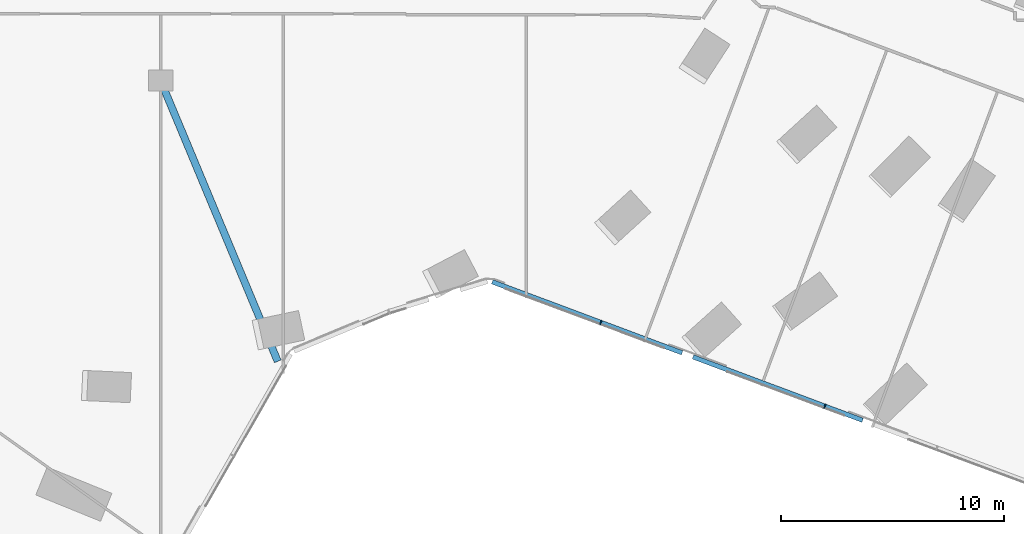
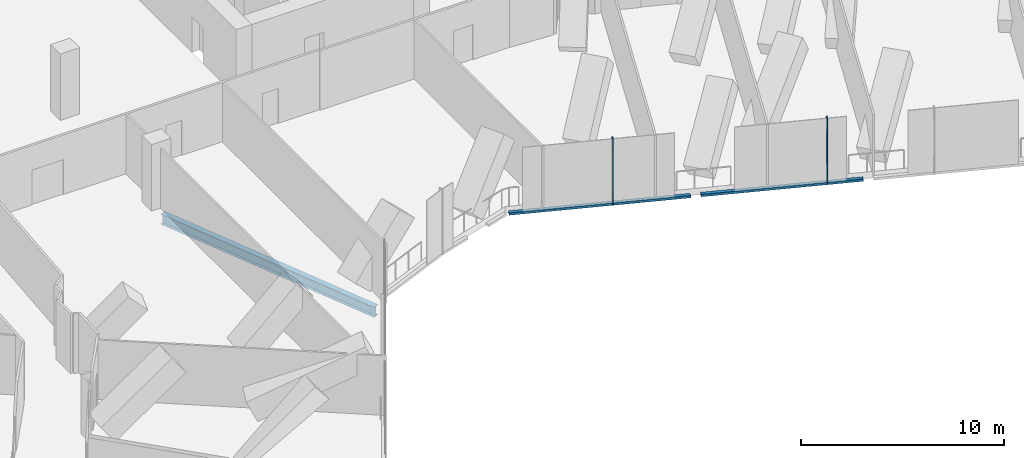
# One storey, part 8 of 34: 4 members, 1 beam, 1 element without a shape of its own.
"""IFC4 building model written with IfcOpenShell, lengths in metres."""

from ifc_helpers import new_model, si_unit, direction, frame, origin, origin_2d, place, context, subcontext, project, spatial, rectangle, i_section, extrude, material, material_profile, profile_set, type_object, element, aggregate, save


model = new_model("IFC4")

# Units and contexts
model_context = context("Model", 3, precision=1e-05, world=origin(), true_north=direction((0.0, 1.0)))
body_context = subcontext(model_context, "Body", "Model", "MODEL_VIEW")
ifc_project = project(units=[si_unit("LENGTHUNIT", "METRE"), si_unit("AREAUNIT", "SQUARE_METRE"), si_unit("VOLUMEUNIT", "CUBIC_METRE"), si_unit("PLANEANGLEUNIT", "RADIAN"), si_unit("MASSUNIT", "GRAM", prefix="KILO")], contexts=[model_context])

# Site, building, storey
site_placement = place(None, origin())
site = spatial("IfcSite", under=ifc_project, at=site_placement, CompositionType="ELEMENT")
building_placement = place(site_placement, origin())
building = spatial("IfcBuilding", under=site, at=building_placement, Name="Orlundy Tower", CompositionType="ELEMENT")
storey_placement = place(building_placement, frame((0.0, 0.0, 98.199951171875)))
storey = spatial("IfcBuildingStorey", under=building, at=storey_placement, Name="L24", CompositionType="ELEMENT", Elevation=98.199951171875)

# Beam
ifc_material_1 = material(Name="Steel ASTM A992 Gr 50", Category="steel")
ifc_material_profile_1 = material_profile(ifc_material_1, i_section(OverallWidth=0.32373046875, OverallDepth=0.611083984375, WebThickness=0.0126953125, FlangeThickness=0.01904296875, at=origin_2d()), Name="W24X104")
ifc_profile_set_1 = profile_set([ifc_material_profile_1], Name="Steel ASTM A992 Gr 50")
beam_type = type_object("IfcBeamType", Name="CANTILEVER GIRDER beam W24X104", PredefinedType="BEAM", material=ifc_profile_set_1)
beam_placement = place(storey_placement, frame((5.245849609375, -30.5771484375, -0.70556640625), z_axis=(-0.384950357411, 0.922937279737, 0.0), x_axis=(-0.922937279737, -0.384950357411, 0.0)))
element("IfcBeam", 1, at=beam_placement, inside=storey, type_object=beam_type, Name="Cantilever girder C-H09 L24", PredefinedType="BEAM", context=body_context, shape_type="SweptSolid", body=[
    extrude(i_section(OverallWidth=0.32373046875, OverallDepth=0.611083984375, WebThickness=0.0126953125, FlangeThickness=0.01904296875, at=origin_2d()), origin(), (0.0, 0.0, 1.0), 13.24755859375),
])

# Curtain wall, members
ifc_material_2 = material(Name="Aluminium bronze anodised", Category="aluminium")
curtain_wall_type = type_object("IfcCurtainWallType", Name="CW5 wall", PredefinedType="NOTDEFINED", material=ifc_material_2)
curtain_wall_placement = place(storey_placement, origin())
curtain_wall = element("IfcCurtainWall", 2, at=curtain_wall_placement, inside=storey, type_object=curtain_wall_type, Name="CW5 run 041", PredefinedType="NOTDEFINED")
ifc_material_3 = material(Name="Aluminium bronze anodised", Category="aluminium")
ifc_material_profile_2 = material_profile(ifc_material_3, rectangle(XDim=0.199951171875, YDim=0.050048828125, at=origin_2d()), Name="CW5 mullion 50x200")
ifc_profile_set_2 = profile_set([ifc_material_profile_2], Name="Aluminium bronze anodised")
member_type_1 = type_object("IfcMemberType", Name="CW5 mullion 50x200", PredefinedType="MULLION", material=ifc_profile_set_2)
member_1_placement = place(storey_placement, frame((29.75927734375, -32.585693359375, -0.39990234375), z_axis=(0.0, 0.0, 1.0), x_axis=(-0.350219011684, -0.936667840729, 0.0)))
member_1 = element("IfcMember", 3, at=member_1_placement, type_object=member_type_1, Name="CW5 mullion 72", PredefinedType="MULLION", context=body_context, shape_type="SweptSolid", body=[
    extrude(rectangle(XDim=0.199951171875, YDim=0.050048828125, at=origin_2d()), origin(), (0.0, 0.0, 1.0), 4.0),
])
member_2_placement = place(storey_placement, frame((19.724365234375, -28.833740234375, -0.39990234375), z_axis=(0.0, 0.0, 1.0), x_axis=(-0.350219011684, -0.936667840729, 0.0)))
member_2 = element("IfcMember", 4, at=member_2_placement, type_object=member_type_1, Name="CW5 mullion 74", PredefinedType="MULLION", context=body_context, shape_type="SweptSolid", body=[
    extrude(rectangle(XDim=0.199951171875, YDim=0.050048828125, at=origin_2d()), origin(), (0.0, 0.0, 1.0), 4.0),
])
ifc_material_4 = material(Name="Aluminium bronze anodised", Category="aluminium")
ifc_material_profile_3 = material_profile(ifc_material_4, rectangle(XDim=0.199951171875, YDim=0.139892578125, at=origin_2d()), Name="CW5 transom 200x140")
ifc_profile_set_3 = profile_set([ifc_material_profile_3], Name="Aluminium bronze anodised")
member_type_2 = type_object("IfcMemberType", Name="CW5 transom 200x140", PredefinedType="USERDEFINED", material=ifc_profile_set_3)
member_3_placement = place(storey_placement, frame((31.452880859375, -33.218994140625, -0.329833984375), z_axis=(-0.936662701349, 0.350232756751, 0.0), x_axis=(-0.350232756751, -0.936662701349, 0.0)))
member_3 = element("IfcMember", 5, at=member_3_placement, type_object=member_type_2, Name="CW5 transom", ObjectType="TRANSOM", PredefinedType="USERDEFINED", context=body_context, shape_type="SweptSolid", body=[
    extrude(rectangle(XDim=0.199951171875, YDim=0.139892578125, at=origin_2d()), origin(), (0.0, 0.0, 1.0), 8.11181640625),
])
member_4_placement = place(storey_placement, frame((23.365966796875, -30.1953125, -0.329833984375), z_axis=(-0.936663397366, 0.350230895317, 0.0), x_axis=(-0.350230895317, -0.936663397366, 0.0)))
member_4 = element("IfcMember", 6, at=member_4_placement, type_object=member_type_2, Name="CW5 transom", ObjectType="TRANSOM", PredefinedType="USERDEFINED", context=body_context, shape_type="SweptSolid", body=[
    extrude(rectangle(XDim=0.199951171875, YDim=0.139892578125, at=origin_2d()), origin(), (0.0, 0.0, 1.0), 9.08447265625),
])
aggregate(curtain_wall, [member_1, member_2, member_3, member_4])

save(model, "model.ifc")
